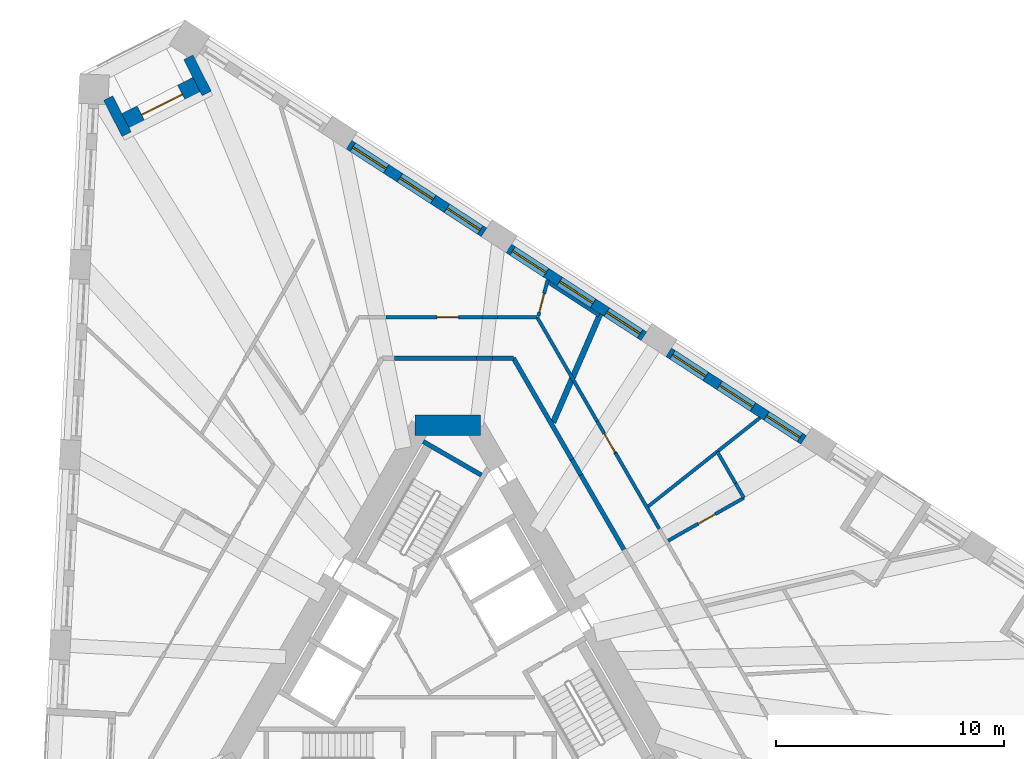
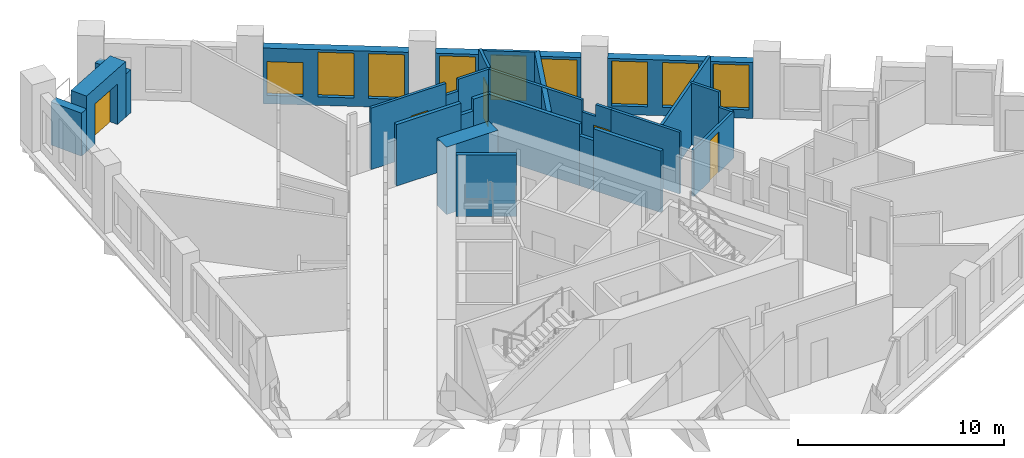
# One storey, part 8 of 13: 27 walls, 9 windows, 5 doors, 14 openings.
"""IFC4 building model written with IfcOpenShell, lengths in metres."""

from ifc_helpers import new_model, si_unit, direction, frame, frame_2d, origin, place, context, subcontext, project, spatial, polyline, rectangle, outline, extrude, material, layer, layer_set, type_object, element, fill, save


model = new_model("IFC4")

# Units and contexts
model_context = context("Model", 3, precision=1e-05, world=origin(), true_north=direction((0.0, 1.0)))
body_context = subcontext(model_context, "Body", "Model", "MODEL_VIEW")
ifc_project = project(units=[si_unit("LENGTHUNIT", "METRE"), si_unit("AREAUNIT", "SQUARE_METRE"), si_unit("VOLUMEUNIT", "CUBIC_METRE"), si_unit("PLANEANGLEUNIT", "RADIAN"), si_unit("MASSUNIT", "GRAM", prefix="KILO")], contexts=[model_context])

# Site, building, storey
site_placement = place(None, origin())
site = spatial("IfcSite", under=ifc_project, at=site_placement, CompositionType="ELEMENT")
building_placement = place(site_placement, origin())
building = spatial("IfcBuilding", under=site, at=building_placement, Name="Tramontana Tower", CompositionType="ELEMENT")
storey_placement = place(building_placement, frame((0.0, 0.0, 145.60009765625)))
storey = spatial("IfcBuildingStorey", under=building, at=storey_placement, Name="L33", CompositionType="ELEMENT", Elevation=145.60009765625)

# Walls
ifc_material_1 = material(Name="Concrete 70 MPa", Category="concrete")
ifc_layer_1 = layer(ifc_material_1, 0.89990234375)
ifc_layer_set_1 = layer_set([ifc_layer_1], Name="Core wall 900 70 MPa")
wall_type_1 = type_object("IfcWallType", Name="Core wall 900 70 MPa", PredefinedType="SHEAR", material=ifc_layer_set_1)
wall_1_placement = place(storey_placement, frame((1.443359375, 10.550048828125, 0.0), z_axis=(0.0, 0.0, 1.0), x_axis=(-1.0, 0.0, 0.0)))
element("IfcWall", 1, at=wall_1_placement, inside=storey, type_object=wall_type_1, Name="Core wall C0 L33", PredefinedType="SHEAR", context=body_context, shape_type="SweptSolid", body=[
    extrude(rectangle(XDim=2.88671875, YDim=0.89990234375, at=frame_2d((1.443359375, 0.0))), origin(), (0.0, 0.0, 1.0), 4.0),
])
ifc_material_2 = material(Name="Blockwork", Category="masonry")
ifc_layer_2 = layer(ifc_material_2, 0.199951171875)
ifc_layer_set_2 = layer_set([ifc_layer_2], Name="ENTRY WALL 200")
wall_type_2 = type_object("IfcWallType", Name="ENTRY WALL 200", PredefinedType="SOLIDWALL", material=ifc_layer_set_2)
wall_2_placement = place(storey_placement, frame((2.88671875, 13.5, 0.0), z_axis=(0.0, 0.0, 1.0), x_axis=(0.50000466804, -0.866022708674, 0.0)))
element("IfcWall", 2, at=wall_2_placement, inside=storey, type_object=wall_type_2, Name="Wall v31-ew0-0", PredefinedType="SOLIDWALL", context=body_context, shape_type="SweptSolid", body=[
    extrude(rectangle(XDim=5.14208984375, YDim=0.199951171875, at=frame_2d((2.571044921875, 0.0))), origin(), (0.0, 0.0, 1.0), 3.64990234375),
])
wall_3_placement = place(storey_placement, frame((5.457763671875, 9.046875, 0.0), z_axis=(0.0, 0.0, 1.0), x_axis=(0.499982474044, -0.866035522163, 0.0)))
element("IfcWall", 3, at=wall_3_placement, inside=storey, type_object=wall_type_2, Name="Wall v31-ew0-1", PredefinedType="SOLIDWALL", context=body_context, shape_type="SweptSolid", body=[
    extrude(rectangle(XDim=0.78564453125, YDim=0.199951171875, at=frame_2d((0.392822265625, 0.0))), origin(), (0.0, 0.0, 1.0), 2.949951171875),
])
wall_4_placement = place(storey_placement, frame((5.8505859375, 8.366455078125, 0.0), z_axis=(0.0, 0.0, 1.0), x_axis=(0.499998034377, -0.866026538634, 0.0)))
element("IfcWall", 4, at=wall_4_placement, inside=storey, type_object=wall_type_2, Name="Wall v31-ew0-2", PredefinedType="SOLIDWALL", context=body_context, shape_type="SweptSolid", body=[
    extrude(rectangle(XDim=3.783203125, YDim=0.199951171875, at=frame_2d((1.8916015625, 0.0))), origin(), (0.0, 0.0, 1.0), 3.64990234375),
])
wall_5_placement = place(storey_placement, frame((-2.33349609375, 13.5, 0.0), z_axis=(0.0, 0.0, 1.0), x_axis=(1.0, 0.0, 0.0)))
element("IfcWall", 5, at=wall_5_placement, inside=storey, type_object=wall_type_2, Name="Wall v31-ew5-1", PredefinedType="SOLIDWALL", context=body_context, shape_type="SweptSolid", body=[
    extrude(rectangle(XDim=3.6025390625, YDim=0.199951171875, at=frame_2d((1.80126953125, 0.0))), origin(), (0.0, 0.0, 1.0), 3.64990234375),
])
wall_6_placement = place(storey_placement, frame((1.26904296875, 13.5, 0.0), z_axis=(0.0, 0.0, 1.0), x_axis=(1.0, 0.0, 0.0)))
element("IfcWall", 6, at=wall_6_placement, inside=storey, type_object=wall_type_2, Name="Wall v31-ew5-2", PredefinedType="SOLIDWALL", context=body_context, shape_type="SweptSolid", body=[
    extrude(rectangle(XDim=0.704833984375, YDim=0.199951171875, at=frame_2d((0.3525390625, 0.0))), origin(), (0.0, 0.0, 1.0), 2.949951171875),
])
wall_7_placement = place(storey_placement, frame((1.973876953125, 13.5, 0.0), z_axis=(0.0, 0.0, 1.0), x_axis=(1.0, 0.0, 0.0)))
element("IfcWall", 7, at=wall_7_placement, inside=storey, type_object=wall_type_2, Name="Wall v31-ew5-3", PredefinedType="SOLIDWALL", context=body_context, shape_type="SweptSolid", body=[
    extrude(rectangle(XDim=0.912841796875, YDim=0.199951171875, at=frame_2d((0.45654296875, 0.0))), origin(), (0.0, 0.0, 1.0), 3.64990234375),
])

# Wall, openings, windows
ifc_material_3 = material(Name="Precast concrete 60 MPa", Category="concrete")
ifc_layer_3 = layer(ifc_material_3, 0.449951171875)
ifc_layer_set_3 = layer_set([ifc_layer_3], Name="Precast concrete 60 MPa, 450 mm")
wall_type_3 = type_object("IfcWallType", Name="EW1 Stone-faced precast wall 450", PredefinedType="SOLIDWALL", material=ifc_layer_set_3)
wall_8_placement = place(storey_placement, frame((15.639404296875, 9.9052734375, 0.0), z_axis=(0.0, 0.0, 1.0), x_axis=(-0.838677021821, 0.54462909679, 0.0)))
wall_8 = element("IfcWall", 8, at=wall_8_placement, inside=storey, type_object=wall_type_3, Name="External wall L33 face 2 bay 3", PredefinedType="SOLIDWALL", context=body_context, shape_type="SweptSolid", body=[
    extrude(rectangle(XDim=7.071533203125, YDim=0.449951171875, at=frame_2d((3.53564453125, 0.0))), origin(), (0.0, 0.0, 1.0), 3.2998046875),
])
opening_1_placement = place(wall_8_placement, frame((0.1953125, 0.0, 0.5)))
opening_1 = element("IfcOpeningElement", 9, at=opening_1_placement, cuts=wall_8, Name="Opening M2", PredefinedType="OPENING", context=body_context, shape_type="SweptSolid", body=[
    extrude(rectangle(XDim=1.75, YDim=2.64990234375, at=frame_2d((0.875, 1.324951171875))), frame((0.0, 0.23486328125, 0.0), z_axis=(0.0, -1.0, 0.0), x_axis=(1.0, 0.0, 0.0)), (0.0, 0.0, 1.0), 0.469970703125),
])
opening_2_placement = place(wall_8_placement, frame((2.660888671875, 0.0, 0.5)))
opening_2 = element("IfcOpeningElement", 10, at=opening_2_placement, cuts=wall_8, Name="Opening M2", PredefinedType="OPENING", context=body_context, shape_type="SweptSolid", body=[
    extrude(rectangle(XDim=1.75, YDim=2.64990234375, at=frame_2d((0.875, 1.324951171875))), frame((0.0, 0.23486328125, 0.0), z_axis=(0.0, -1.0, 0.0), x_axis=(1.0, 0.0, 0.0)), (0.0, 0.0, 1.0), 0.469970703125),
])
opening_3_placement = place(wall_8_placement, frame((5.126220703125, 0.0, 0.5)))
opening_3 = element("IfcOpeningElement", 11, at=opening_3_placement, cuts=wall_8, Name="Opening M2", PredefinedType="OPENING", context=body_context, shape_type="SweptSolid", body=[
    extrude(rectangle(XDim=1.75, YDim=2.64990234375, at=frame_2d((0.875, 1.324951171875))), frame((0.0, 0.23486328125, 0.0), z_axis=(0.0, -1.0, 0.0), x_axis=(1.0, 0.0, 0.0)), (0.0, 0.0, 1.0), 0.469970703125),
])
ifc_material_4 = material(Name="Aluminum frame, double glazing unit", Category="aluminium")
window_type_1 = type_object("IfcWindowType", Name="M2 Window 1.75 x 2.65", PartitioningType="SINGLE_PANEL", PredefinedType="WINDOW", material=ifc_material_4)
window_1_placement = place(opening_1_placement, origin())
window_1 = element("IfcWindow", 12, at=window_1_placement, inside=storey, type_object=window_type_1, Name="Window M2 L33 face 2 module 7", OverallHeight=2.64990234375, OverallWidth=1.75, PartitioningType="SINGLE_PANEL", PredefinedType="WINDOW", context=body_context, shape_type="SweptSolid", body=[
    extrude(rectangle(XDim=1.75, YDim=2.64990234375, at=frame_2d((0.875, 1.324951171875))), frame((0.0, 0.030029296875, 0.0), z_axis=(0.0, -1.0, 0.0), x_axis=(1.0, 0.0, 0.0)), (0.0, 0.0, 1.0), 0.06005859375),
])
fill(opening_1, window_1)
window_2_placement = place(opening_2_placement, origin())
window_2 = element("IfcWindow", 13, at=window_2_placement, inside=storey, type_object=window_type_1, Name="Window M2 L33 face 2 module 8", OverallHeight=2.64990234375, OverallWidth=1.75, PartitioningType="SINGLE_PANEL", PredefinedType="WINDOW", context=body_context, shape_type="SweptSolid", body=[
    extrude(rectangle(XDim=1.75, YDim=2.64990234375, at=frame_2d((0.875, 1.324951171875))), frame((0.0, 0.030029296875, 0.0), z_axis=(0.0, -1.0, 0.0), x_axis=(1.0, 0.0, 0.0)), (0.0, 0.0, 1.0), 0.06005859375),
])
fill(opening_2, window_2)
window_3_placement = place(opening_3_placement, origin())
window_3 = element("IfcWindow", 14, at=window_3_placement, inside=storey, type_object=window_type_1, Name="Window M2 L33 face 2 module 9", OverallHeight=2.64990234375, OverallWidth=1.75, PartitioningType="SINGLE_PANEL", PredefinedType="WINDOW", context=body_context, shape_type="SweptSolid", body=[
    extrude(rectangle(XDim=1.75, YDim=2.64990234375, at=frame_2d((0.875, 1.324951171875))), frame((0.0, 0.030029296875, 0.0), z_axis=(0.0, -1.0, 0.0), x_axis=(1.0, 0.0, 0.0)), (0.0, 0.0, 1.0), 0.06005859375),
])
fill(opening_3, window_3)

wall_9_placement = place(storey_placement, frame((8.618408203125, 14.464599609375, 0.0), z_axis=(0.0, 0.0, 1.0), x_axis=(-0.838661251934, 0.544653380146, 0.0)))
wall_9 = element("IfcWall", 15, at=wall_9_placement, inside=storey, type_object=wall_type_3, Name="External wall L33 face 2 bay 4", PredefinedType="SOLIDWALL", context=body_context, shape_type="SweptSolid", body=[
    extrude(rectangle(XDim=7.071533203125, YDim=0.449951171875, at=frame_2d((3.53564453125, 0.0))), origin(), (0.0, 0.0, 1.0), 3.2998046875),
])
opening_4_placement = place(wall_9_placement, frame((0.1953125, 0.0, 0.5)))
opening_4 = element("IfcOpeningElement", 16, at=opening_4_placement, cuts=wall_9, Name="Opening M2", PredefinedType="OPENING", context=body_context, shape_type="SweptSolid", body=[
    extrude(rectangle(XDim=1.75, YDim=2.64990234375, at=frame_2d((0.875, 1.324951171875))), frame((0.0, 0.23486328125, 0.0), z_axis=(0.0, -1.0, 0.0), x_axis=(1.0, 0.0, 0.0)), (0.0, 0.0, 1.0), 0.469970703125),
])
opening_5_placement = place(wall_9_placement, frame((2.660888671875, 0.0, 0.5)))
opening_5 = element("IfcOpeningElement", 17, at=opening_5_placement, cuts=wall_9, Name="Opening M2", PredefinedType="OPENING", context=body_context, shape_type="SweptSolid", body=[
    extrude(rectangle(XDim=1.75, YDim=2.64990234375, at=frame_2d((0.875, 1.324951171875))), frame((0.0, 0.23486328125, 0.0), z_axis=(0.0, -1.0, 0.0), x_axis=(1.0, 0.0, 0.0)), (0.0, 0.0, 1.0), 0.469970703125),
])
opening_6_placement = place(wall_9_placement, frame((5.126220703125, 0.0, 0.5)))
opening_6 = element("IfcOpeningElement", 18, at=opening_6_placement, cuts=wall_9, Name="Opening M2", PredefinedType="OPENING", context=body_context, shape_type="SweptSolid", body=[
    extrude(rectangle(XDim=1.75, YDim=2.64990234375, at=frame_2d((0.875, 1.324951171875))), frame((0.0, 0.23486328125, 0.0), z_axis=(0.0, -1.0, 0.0), x_axis=(1.0, 0.0, 0.0)), (0.0, 0.0, 1.0), 0.469970703125),
])
window_4_placement = place(opening_4_placement, origin())
window_4 = element("IfcWindow", 19, at=window_4_placement, inside=storey, type_object=window_type_1, Name="Window M2 L33 face 2 module 10", OverallHeight=2.64990234375, OverallWidth=1.75, PartitioningType="SINGLE_PANEL", PredefinedType="WINDOW", context=body_context, shape_type="SweptSolid", body=[
    extrude(rectangle(XDim=1.75, YDim=2.64990234375, at=frame_2d((0.875, 1.324951171875))), frame((0.0, 0.030029296875, 0.0), z_axis=(0.0, -1.0, 0.0), x_axis=(1.0, 0.0, 0.0)), (0.0, 0.0, 1.0), 0.06005859375),
])
fill(opening_4, window_4)
window_5_placement = place(opening_5_placement, origin())
window_5 = element("IfcWindow", 20, at=window_5_placement, inside=storey, type_object=window_type_1, Name="Window M2 L33 face 2 module 11", OverallHeight=2.64990234375, OverallWidth=1.75, PartitioningType="SINGLE_PANEL", PredefinedType="WINDOW", context=body_context, shape_type="SweptSolid", body=[
    extrude(rectangle(XDim=1.75, YDim=2.64990234375, at=frame_2d((0.875, 1.324951171875))), frame((0.0, 0.030029296875, 0.0), z_axis=(0.0, -1.0, 0.0), x_axis=(1.0, 0.0, 0.0)), (0.0, 0.0, 1.0), 0.06005859375),
])
fill(opening_5, window_5)
window_6_placement = place(opening_6_placement, origin())
window_6 = element("IfcWindow", 21, at=window_6_placement, inside=storey, type_object=window_type_1, Name="Window M2 L33 face 2 module 12", OverallHeight=2.64990234375, OverallWidth=1.75, PartitioningType="SINGLE_PANEL", PredefinedType="WINDOW", context=body_context, shape_type="SweptSolid", body=[
    extrude(rectangle(XDim=1.75, YDim=2.64990234375, at=frame_2d((0.875, 1.324951171875))), frame((0.0, 0.030029296875, 0.0), z_axis=(0.0, -1.0, 0.0), x_axis=(1.0, 0.0, 0.0)), (0.0, 0.0, 1.0), 0.06005859375),
])
fill(opening_6, window_6)

wall_10_placement = place(storey_placement, frame((1.597412109375, 19.024169921875, 0.0), z_axis=(0.0, 0.0, 1.0), x_axis=(-0.838677021821, 0.54462909679, 0.0)))
wall_10 = element("IfcWall", 22, at=wall_10_placement, inside=storey, type_object=wall_type_3, Name="External wall L33 face 2 bay 5", PredefinedType="SOLIDWALL", context=body_context, shape_type="SweptSolid", body=[
    extrude(rectangle(XDim=7.071533203125, YDim=0.449951171875, at=frame_2d((3.53564453125, 0.0))), origin(), (0.0, 0.0, 1.0), 3.2998046875),
])
opening_7_placement = place(wall_10_placement, frame((0.1953125, 0.0, 0.5)))
opening_7 = element("IfcOpeningElement", 23, at=opening_7_placement, cuts=wall_10, Name="Opening M2", PredefinedType="OPENING", context=body_context, shape_type="SweptSolid", body=[
    extrude(rectangle(XDim=1.75, YDim=2.64990234375, at=frame_2d((0.875, 1.324951171875))), frame((0.0, 0.23486328125, 0.0), z_axis=(0.0, -1.0, 0.0), x_axis=(1.0, 0.0, 0.0)), (0.0, 0.0, 1.0), 0.469970703125),
])
opening_8_placement = place(wall_10_placement, frame((2.660888671875, 0.0, 0.5)))
opening_8 = element("IfcOpeningElement", 24, at=opening_8_placement, cuts=wall_10, Name="Opening M2", PredefinedType="OPENING", context=body_context, shape_type="SweptSolid", body=[
    extrude(rectangle(XDim=1.75, YDim=2.64990234375, at=frame_2d((0.875, 1.324951171875))), frame((0.0, 0.23486328125, 0.0), z_axis=(0.0, -1.0, 0.0), x_axis=(1.0, 0.0, 0.0)), (0.0, 0.0, 1.0), 0.469970703125),
])
opening_9_placement = place(wall_10_placement, frame((5.126220703125, 0.0, 0.5)))
opening_9 = element("IfcOpeningElement", 25, at=opening_9_placement, cuts=wall_10, Name="Opening M2L", PredefinedType="OPENING", context=body_context, shape_type="SweptSolid", body=[
    extrude(rectangle(XDim=1.75, YDim=2.0, at=frame_2d((0.875, 1.0))), frame((0.0, 0.23486328125, 0.0), z_axis=(0.0, -1.0, 0.0), x_axis=(1.0, 0.0, 0.0)), (0.0, 0.0, 1.0), 0.469970703125),
])
window_7_placement = place(opening_7_placement, origin())
window_7 = element("IfcWindow", 26, at=window_7_placement, inside=storey, type_object=window_type_1, Name="Window M2 L33 face 2 module 13", OverallHeight=2.64990234375, OverallWidth=1.75, PartitioningType="SINGLE_PANEL", PredefinedType="WINDOW", context=body_context, shape_type="SweptSolid", body=[
    extrude(rectangle(XDim=1.75, YDim=2.64990234375, at=frame_2d((0.875, 1.324951171875))), frame((0.0, 0.030029296875, 0.0), z_axis=(0.0, -1.0, 0.0), x_axis=(1.0, 0.0, 0.0)), (0.0, 0.0, 1.0), 0.06005859375),
])
fill(opening_7, window_7)
window_8_placement = place(opening_8_placement, origin())
window_8 = element("IfcWindow", 27, at=window_8_placement, inside=storey, type_object=window_type_1, Name="Window M2 L33 face 2 module 14", OverallHeight=2.64990234375, OverallWidth=1.75, PartitioningType="SINGLE_PANEL", PredefinedType="WINDOW", context=body_context, shape_type="SweptSolid", body=[
    extrude(rectangle(XDim=1.75, YDim=2.64990234375, at=frame_2d((0.875, 1.324951171875))), frame((0.0, 0.030029296875, 0.0), z_axis=(0.0, -1.0, 0.0), x_axis=(1.0, 0.0, 0.0)), (0.0, 0.0, 1.0), 0.06005859375),
])
fill(opening_8, window_8)
ifc_material_5 = material(Name="Aluminum frame, double glazing unit", Category="aluminium")
window_type_2 = type_object("IfcWindowType", Name="M2L Window 1.75 x 2", PartitioningType="SINGLE_PANEL", PredefinedType="WINDOW", material=ifc_material_5)
window_9_placement = place(opening_9_placement, origin())
window_9 = element("IfcWindow", 28, at=window_9_placement, inside=storey, type_object=window_type_2, Name="Window M2L L33 face 2 module 15", OverallHeight=2.0, OverallWidth=1.75, PartitioningType="SINGLE_PANEL", PredefinedType="WINDOW", context=body_context, shape_type="SweptSolid", body=[
    extrude(rectangle(XDim=1.75, YDim=2.0, at=frame_2d((0.875, 1.0))), frame((0.0, 0.030029296875, 0.0), z_axis=(0.0, -1.0, 0.0), x_axis=(1.0, 0.0, 0.0)), (0.0, 0.0, 1.0), 0.06005859375),
])
fill(opening_9, window_9)

# Walls
for number, where, z_axis, x_axis, name in (
    (29, (-14.916015625, 24.924072265625, 0.0), (0.0, 0.0, 1.0), (0.453952505513, -0.891025882193, 0.0), "Corner loggia side wall L33 K30l"),
    (30, (-11.396484375, 26.71728515625, 0.0), (0.0, 0.0, 1.0), (0.453952505513, -0.891025882193, 0.0), "Corner loggia side wall L33 K30r"),
):
    element("IfcWall", number, at=place(storey_placement, frame(where, z_axis=z_axis, x_axis=x_axis)), inside=storey, type_object=wall_type_3, Name=name, PredefinedType="SOLIDWALL", context=body_context, shape_type="SweptSolid", body=[
        extrude(rectangle(XDim=1.779052734375, YDim=0.449951171875, at=frame_2d((0.8896484375, 0.0))), origin(), (0.0, 0.0, 1.0), 2.5498046875),
    ])

# Wall, opening, door
ifc_material_6 = material(Name="Precast concrete 60 MPa", Category="concrete")
ifc_layer_4 = layer(ifc_material_6, 0.89990234375)
ifc_layer_set_4 = layer_set([ifc_layer_4], Name="EW2 Stone-faced corner loggia wall 900")
wall_type_4 = type_object("IfcWallType", Name="EW2 Stone-faced corner loggia wall 900", PredefinedType="SOLIDWALL", material=ifc_layer_set_4)
wall_11_placement = place(storey_placement, frame((-14.112060546875, 23.841796875, 0.0), z_axis=(0.0, 0.0, 1.0), x_axis=(0.890983062796, 0.454036542374, 0.0)))
wall_11 = element("IfcWall", 31, at=wall_11_placement, inside=storey, type_object=wall_type_4, Name="Corner loggia wall L33 K30", PredefinedType="SOLIDWALL", context=body_context, shape_type="SweptSolid", body=[
    extrude(rectangle(XDim=3.5, YDim=0.89990234375, at=frame_2d((1.75, 0.0))), origin(), (0.0, 0.0, 1.0), 3.2998046875),
])
opening_10_placement = place(wall_11_placement, frame((0.75, 0.0, 0.0)))
opening_10 = element("IfcOpeningElement", 32, at=opening_10_placement, cuts=wall_11, Name="Opening BD-30C", PredefinedType="OPENING", context=body_context, shape_type="SweptSolid", body=[
    extrude(rectangle(XDim=2.0, YDim=2.39990234375, at=frame_2d((1.0, 1.199951171875))), frame((0.0, 0.4599609375, 0.0), z_axis=(0.0, -1.0, 0.0), x_axis=(1.0, 0.0, 0.0)), (0.0, 0.0, 1.0), 0.919921875),
])
ifc_material_7 = material(Name="Aluminum frame, double glazing unit", Category="aluminium")
door_type_1 = type_object("IfcDoorType", Name="BC1 Sliding door 2 x 2.4", OperationType="SLIDING_TO_LEFT", PredefinedType="DOOR", material=ifc_material_7)
door_1_placement = place(opening_10_placement, origin())
door_1 = element("IfcDoor", 33, at=door_1_placement, inside=storey, type_object=door_type_1, Name="Corner loggia door L33 K30", OperationType="SLIDING_TO_LEFT", OverallHeight=2.39990234375, OverallWidth=2.0, PredefinedType="DOOR", context=body_context, shape_type="SweptSolid", body=[
    extrude(rectangle(XDim=2.0, YDim=2.39990234375, at=frame_2d((1.0, 1.199951171875))), frame((0.0, 0.02490234375, 0.0), z_axis=(0.0, -1.0, 0.0), x_axis=(1.0, 0.0, 0.0)), (0.0, 0.0, 1.0), 0.050048828125),
])
fill(opening_10, door_1)

ifc_material_8 = material(Name="Gypsum board partition")
ifc_layer_5 = layer(ifc_material_8, 0.14990234375)
ifc_layer_set_5 = layer_set([ifc_layer_5], Name="PARTITION 150")
wall_type_5 = type_object("IfcWallType", Name="PARTITION 150", PredefinedType="PARTITIONING", material=ifc_layer_set_5)
wall_12_placement = place(storey_placement, frame((-2.711669921875, 15.300048828125, 0.0), z_axis=(0.0, 0.0, 1.0), x_axis=(1.0, 0.0, 0.0)))
wall_12 = element("IfcWall", 34, at=wall_12_placement, inside=storey, type_object=wall_type_5, Name="Wall v31-pw22-2", PredefinedType="PARTITIONING", context=body_context, shape_type="SweptSolid", body=[
    extrude(rectangle(XDim=4.20947265625, YDim=0.14990234375, at=frame_2d((2.104736328125, 0.0))), origin(), (0.0, 0.0, 1.0), 3.64990234375),
])
opening_11_placement = place(wall_12_placement, frame((2.23681640625, 0.0, 0.0)))
opening_11 = element("IfcOpeningElement", 35, at=opening_11_placement, cuts=wall_12, Name="Opening B3B-04", PredefinedType="OPENING", context=body_context, shape_type="SweptSolid", body=[
    extrude(rectangle(XDim=0.949951171875, YDim=2.39990234375, at=frame_2d((0.47509765625, 1.199951171875))), frame((0.0, 0.0849609375, 0.0), z_axis=(0.0, -1.0, 0.0), x_axis=(1.0, 0.0, 0.0)), (0.0, 0.0, 1.0), 0.169921875),
])
ifc_material_9 = material(Name="Painted timber", Category="wood")
door_type_2 = type_object("IfcDoorType", Name="DOOR ROOM 950", OperationType="SINGLE_SWING_LEFT", PredefinedType="DOOR", material=ifc_material_9)
door_2_placement = place(opening_11_placement, origin())
door_2 = element("IfcDoor", 36, at=door_2_placement, inside=storey, type_object=door_type_2, Name="Door B3B-04", OperationType="SINGLE_SWING_RIGHT", OverallHeight=2.39990234375, OverallWidth=0.949951171875, PredefinedType="DOOR", context=body_context, shape_type="SweptSolid", body=[
    extrude(rectangle(XDim=0.949951171875, YDim=2.39990234375, at=frame_2d((0.47509765625, 1.199951171875))), frame((0.0, 0.02490234375, 0.0), z_axis=(0.0, -1.0, 0.0), x_axis=(1.0, 0.0, 0.0)), (0.0, 0.0, 1.0), 0.050048828125),
])
fill(opening_11, door_2)

# Walls
wall_13_placement = place(storey_placement, frame((1.497802734375, 15.300048828125, 0.0), z_axis=(0.0, 0.0, 1.0), x_axis=(1.0, 0.0, 0.0)))
element("IfcWall", 37, at=wall_13_placement, inside=storey, type_object=wall_type_5, Name="Wall v31-pw22-3", PredefinedType="PARTITIONING", context=body_context, shape_type="SweptSolid", body=[
    extrude(rectangle(XDim=0.6796875, YDim=0.14990234375, at=frame_2d((0.33984375, 0.0))), origin(), (0.0, 0.0, 1.0), 2.949951171875),
])
wall_14_placement = place(storey_placement, frame((2.177490234375, 15.300048828125, 0.0), z_axis=(0.0, 0.0, 1.0), x_axis=(1.0, 0.0, 0.0)))
element("IfcWall", 38, at=wall_14_placement, inside=storey, type_object=wall_type_5, Name="Wall v31-pw22-4", PredefinedType="PARTITIONING", context=body_context, shape_type="SweptSolid", body=[
    extrude(rectangle(XDim=1.748291015625, YDim=0.14990234375, at=frame_2d((0.8740234375, 0.0))), origin(), (0.0, 0.0, 1.0), 3.64990234375),
])
wall_15_placement = place(storey_placement, frame((3.926025390625, 15.300048828125, 0.0), z_axis=(0.0, 0.0, 1.0), x_axis=(0.499974706519, -0.86604000649, 0.0)))
element("IfcWall", 39, at=wall_15_placement, inside=storey, type_object=wall_type_5, Name="Wall v31-pw29-0", PredefinedType="PARTITIONING", context=body_context, shape_type="SweptSolid", body=[
    extrude(rectangle(XDim=5.278076171875, YDim=0.14990234375, at=frame_2d((2.63916015625, 0.0))), origin(), (0.0, 0.0, 1.0), 3.64990234375),
])

# Wall, opening, door
wall_16_placement = place(storey_placement, frame((6.56494140625, 10.72900390625, 0.0), z_axis=(0.0, 0.0, 1.0), x_axis=(0.500004488726, -0.866022812202, 0.0)))
wall_16 = element("IfcWall", 40, at=wall_16_placement, inside=storey, type_object=wall_type_5, Name="Wall v31-pw29-1", PredefinedType="PARTITIONING", context=body_context, shape_type="SweptSolid", body=[
    extrude(outline(polyline([(0.0, 0.0), (1.62353515625, 0.0), (1.623291015625, 3.64990234375), (0.757568359375, 3.64990234375), (0.757568359375, 2.949951171875), (0.0, 2.949951171875), (0.0, 0.0)])), frame((0.0, 0.074951171875, 0.0), z_axis=(0.0, -1.0, 0.0), x_axis=(1.0, 0.0, 0.0)), (0.0, 0.0, 1.0), 0.14990234375),
])
opening_12_placement = place(wall_16_placement, frame((0.623291015625, 0.0, 0.0)))
opening_12 = element("IfcOpeningElement", 41, at=opening_12_placement, cuts=wall_16, Name="Opening B3B-22", PredefinedType="OPENING", context=body_context, shape_type="SweptSolid", body=[
    extrude(rectangle(XDim=0.949951171875, YDim=2.39990234375, at=frame_2d((0.47509765625, 1.199951171875))), frame((0.0, 0.0849609375, 0.0), z_axis=(0.0, -1.0, 0.0), x_axis=(1.0, 0.0, 0.0)), (0.0, 0.0, 1.0), 0.169921875),
])
door_3_placement = place(opening_12_placement, origin())
door_3 = element("IfcDoor", 42, at=door_3_placement, inside=storey, type_object=door_type_2, Name="Door B3B-22", OperationType="SINGLE_SWING_RIGHT", OverallHeight=2.39990234375, OverallWidth=0.949951171875, PredefinedType="DOOR", context=body_context, shape_type="SweptSolid", body=[
    extrude(rectangle(XDim=0.949951171875, YDim=2.39990234375, at=frame_2d((0.47509765625, 1.199951171875))), frame((0.0, 0.02490234375, 0.0), z_axis=(0.0, -1.0, 0.0), x_axis=(1.0, 0.0, 0.0)), (0.0, 0.0, 1.0), 0.050048828125),
])
fill(opening_12, door_3)

# Wall
wall_17_placement = place(storey_placement, frame((7.376708984375, 9.322998046875, 0.0), z_axis=(0.0, 0.0, 1.0), x_axis=(0.500021918639, -0.866012748683, 0.0)))
element("IfcWall", 43, at=wall_17_placement, inside=storey, type_object=wall_type_5, Name="Wall v31-pw29-2", PredefinedType="PARTITIONING", context=body_context, shape_type="SweptSolid", body=[
    extrude(rectangle(XDim=3.834228515625, YDim=0.14990234375, at=frame_2d((1.9169921875, 0.0))), origin(), (0.0, 0.0, 1.0), 3.64990234375),
])

# Wall, opening, door
wall_18_placement = place(storey_placement, frame((4.3935546875, 16.93994140625, 0.0), z_axis=(0.0, 0.0, 1.0), x_axis=(-0.25107585542, -0.967967414134, 0.0)))
wall_18 = element("IfcWall", 44, at=wall_18_placement, inside=storey, type_object=wall_type_5, Name="Wall v31-pw30", PredefinedType="PARTITIONING", context=body_context, shape_type="SweptSolid", body=[
    extrude(rectangle(XDim=1.639404296875, YDim=0.14990234375, at=frame_2d((0.81982421875, 0.0))), origin(), (0.0, 0.0, 1.0), 3.64990234375),
])
opening_13_placement = place(wall_18_placement, frame((0.619384765625, 0.0, 0.0)))
opening_13 = element("IfcOpeningElement", 45, at=opening_13_placement, cuts=wall_18, Name="Opening B3B-07", PredefinedType="OPENING", context=body_context, shape_type="SweptSolid", body=[
    extrude(rectangle(XDim=0.85009765625, YDim=2.39990234375, at=frame_2d((0.425048828125, 1.199951171875))), frame((0.0, 0.0849609375, 0.0), z_axis=(0.0, -1.0, 0.0), x_axis=(1.0, 0.0, 0.0)), (0.0, 0.0, 1.0), 0.169921875),
])
ifc_material_10 = material(Name="Painted timber", Category="wood")
door_type_3 = type_object("IfcDoorType", Name="DOOR BATH 850", OperationType="SINGLE_SWING_LEFT", PredefinedType="DOOR", material=ifc_material_10)
door_4_placement = place(opening_13_placement, origin())
door_4 = element("IfcDoor", 46, at=door_4_placement, inside=storey, type_object=door_type_3, Name="Door B3B-07", OperationType="SINGLE_SWING_LEFT", OverallHeight=2.39990234375, OverallWidth=0.85009765625, PredefinedType="DOOR", context=body_context, shape_type="SweptSolid", body=[
    extrude(rectangle(XDim=0.85009765625, YDim=2.39990234375, at=frame_2d((0.425048828125, 1.199951171875))), frame((0.0, 0.02490234375, 0.0), z_axis=(0.0, -1.0, 0.0), x_axis=(1.0, 0.0, 0.0)), (0.0, 0.0, 1.0), 0.050048828125),
])
fill(opening_13, door_4)

# Walls
wall_19_placement = place(storey_placement, frame((4.34716796875, 16.86865234375, 0.0), z_axis=(0.0, 0.0, 1.0), x_axis=(0.838666585339, -0.544645167643, 0.0)))
element("IfcWall", 47, at=wall_19_placement, inside=storey, type_object=wall_type_5, Name="Wall v31-pw31", PredefinedType="PARTITIONING", context=body_context, shape_type="SweptSolid", body=[
    extrude(rectangle(XDim=2.7509765625, YDim=0.14990234375, at=frame_2d((1.37548828125, 0.0))), origin(), (0.0, 0.0, 1.0), 3.64990234375),
])
wall_20_placement = place(storey_placement, frame((8.8115234375, 6.988037109375, 0.0), z_axis=(0.0, 0.0, 1.0), x_axis=(0.783495717036, 0.621397184887, 0.0)))
element("IfcWall", 48, at=wall_20_placement, inside=storey, type_object=wall_type_5, Name="Wall v31-pw33", PredefinedType="PARTITIONING", context=body_context, shape_type="SweptSolid", body=[
    extrude(rectangle(XDim=6.26708984375, YDim=0.14990234375, at=frame_2d((3.133544921875, 0.0))), origin(), (0.0, 0.0, 1.0), 3.64990234375),
])
wall_21_placement = place(storey_placement, frame((11.842529296875, 9.38818359375, 0.0), z_axis=(0.0, 0.0, 1.0), x_axis=(0.499995408039, -0.866028054938, 0.0)))
element("IfcWall", 49, at=wall_21_placement, inside=storey, type_object=wall_type_5, Name="Wall v31-pw36-0", PredefinedType="PARTITIONING", context=body_context, shape_type="SweptSolid", body=[
    extrude(rectangle(XDim=1.60009765625, YDim=0.14990234375, at=frame_2d((0.800048828125, 0.0))), origin(), (0.0, 0.0, 1.0), 3.64990234375),
])
wall_22_placement = place(storey_placement, frame((12.642578125, 8.00244140625, 0.0), z_axis=(0.0, 0.0, 1.0), x_axis=(0.500008142102, -0.866020702889, 0.0)))
element("IfcWall", 50, at=wall_22_placement, inside=storey, type_object=wall_type_5, Name="Wall v31-pw36-1", PredefinedType="PARTITIONING", context=body_context, shape_type="SweptSolid", body=[
    extrude(rectangle(XDim=0.73974609375, YDim=0.14990234375, at=frame_2d((0.369873046875, 0.0))), origin(), (0.0, 0.0, 1.0), 2.75),
])

# Wall, opening, door
wall_23_placement = place(storey_placement, frame((9.68310546875, 5.478271484375, 0.0), z_axis=(0.0, 0.0, 1.0), x_axis=(0.870367823752, 0.492402123652, 0.0)))
wall_23 = element("IfcWall", 51, at=wall_23_placement, inside=storey, type_object=wall_type_5, Name="Wall v31-pw37-0", PredefinedType="PARTITIONING", context=body_context, shape_type="SweptSolid", body=[
    extrude(rectangle(XDim=3.8251953125, YDim=0.14990234375, at=frame_2d((1.91259765625, 0.0))), origin(), (0.0, 0.0, 1.0), 2.75),
])
opening_14_placement = place(wall_23_placement, frame((1.530029296875, 0.0, 0.0)))
opening_14 = element("IfcOpeningElement", 52, at=opening_14_placement, cuts=wall_23, Name="Opening B3B-24", PredefinedType="OPENING", context=body_context, shape_type="SweptSolid", body=[
    extrude(rectangle(XDim=0.85009765625, YDim=2.39990234375, at=frame_2d((0.425048828125, 1.199951171875))), frame((0.0, 0.0849609375, 0.0), z_axis=(0.0, -1.0, 0.0), x_axis=(1.0, 0.0, 0.0)), (0.0, 0.0, 1.0), 0.169921875),
])
door_5_placement = place(opening_14_placement, origin())
door_5 = element("IfcDoor", 53, at=door_5_placement, inside=storey, type_object=door_type_3, Name="Door B3B-24", OperationType="SINGLE_SWING_RIGHT", OverallHeight=2.39990234375, OverallWidth=0.85009765625, PredefinedType="DOOR", context=body_context, shape_type="SweptSolid", body=[
    extrude(rectangle(XDim=0.85009765625, YDim=2.39990234375, at=frame_2d((0.425048828125, 1.199951171875))), frame((0.0, 0.02490234375, 0.0), z_axis=(0.0, -1.0, 0.0), x_axis=(1.0, 0.0, 0.0)), (0.0, 0.0, 1.0), 0.050048828125),
])
fill(opening_14, door_5)

# Walls
ifc_material_11 = material(Name="Blockwork", Category="masonry")
ifc_layer_6 = layer(ifc_material_11, 0.25)
ifc_layer_set_6 = layer_set([ifc_layer_6], Name="PARTY WALL 250")
wall_type_6 = type_object("IfcWallType", Name="PARTY WALL 250", PredefinedType="SOLIDWALL", material=ifc_layer_set_6)
wall_24_placement = place(storey_placement, frame((6.70068359375, 15.441650390625, 0.0), z_axis=(0.0, 0.0, 1.0), x_axis=(-0.398055808136, -0.917361201277, 0.0)))
element("IfcWall", 54, at=wall_24_placement, inside=storey, type_object=wall_type_6, Name="Wall v31-pw32", PredefinedType="SOLIDWALL", context=body_context, shape_type="SweptSolid", body=[
    extrude(rectangle(XDim=5.19482421875, YDim=0.25, at=frame_2d((2.597412109375, 0.0))), origin(), (0.0, 0.0, 1.0), 3.64990234375),
])
ifc_material_12 = material(Name="Concrete 70 MPa", Category="concrete")
ifc_layer_7 = layer(ifc_material_12, 0.199951171875)
ifc_layer_set_7 = layer_set([ifc_layer_7], Name="Concrete 70 MPa, 200 mm")
wall_type_7 = type_object("IfcWallType", Name="RC STAIR AND SHAFT WALL 200", PredefinedType="SOLIDWALL", material=ifc_layer_set_7)
wall_25_placement = place(storey_placement, frame((1.478515625, 8.36083984375, 0.0), z_axis=(0.0, 0.0, 1.0), x_axis=(-0.866003658127, 0.500037662692, 0.0)))
element("IfcWall", 55, at=wall_25_placement, inside=storey, type_object=wall_type_7, Name="Wall st1-far", PredefinedType="SOLIDWALL", context=body_context, shape_type="SweptSolid", body=[
    extrude(rectangle(XDim=2.949951171875, YDim=0.199951171875, at=frame_2d((1.47509765625, 0.0))), origin(), (0.0, 0.0, 1.0), 3.64990234375),
])

save(model, "model.ifc")
